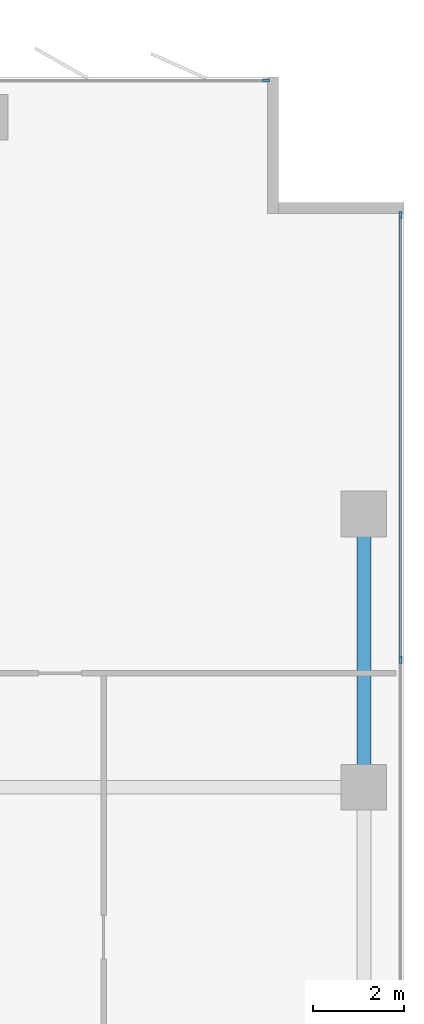
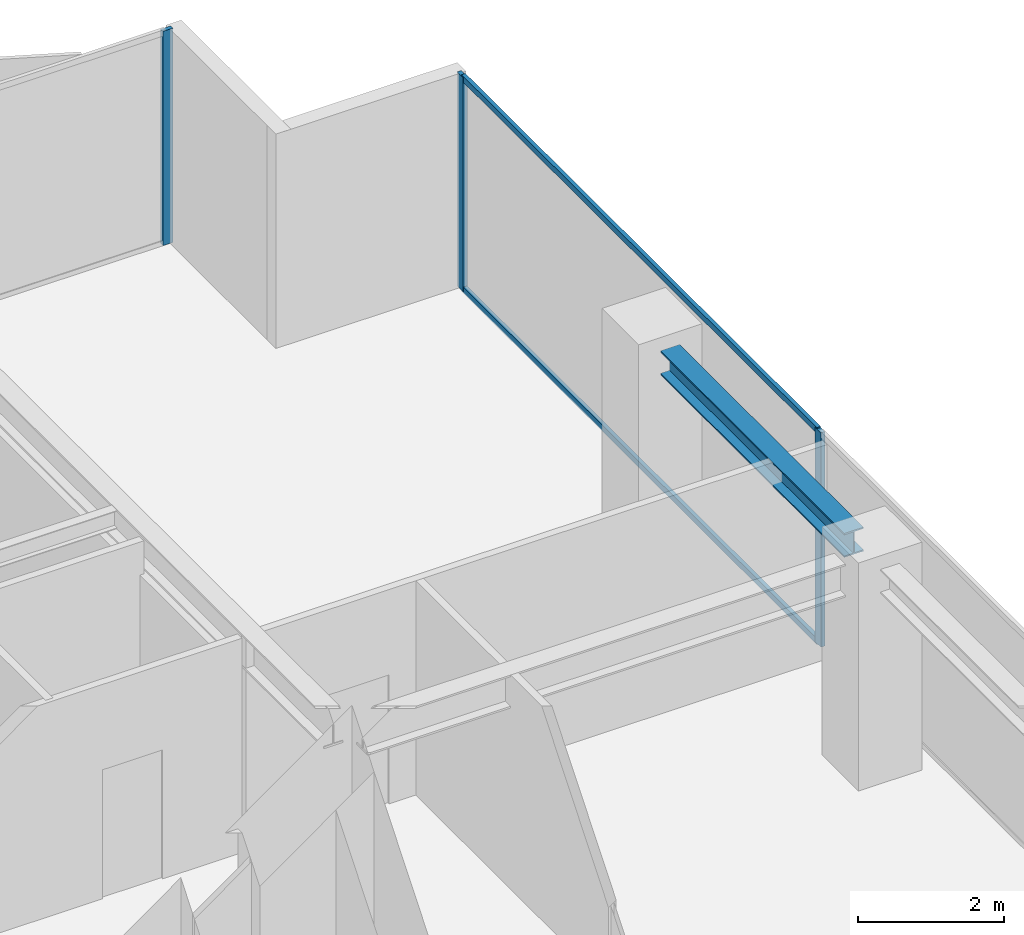
# One storey, part 13 of 22: 5 members, 1 beam, 2 elements without a shape of their own.
"""IFC4 building model written with IfcOpenShell, lengths in metres."""

from ifc_helpers import new_model, si_unit, direction, frame, origin, origin_2d, place, context, subcontext, project, spatial, rectangle, i_section, extrude, material, layer, layer_set, material_profile, profile_set, type_object, element, aggregate, save


model = new_model("IFC4")

# Units and contexts
model_context = context("Model", 3, precision=1e-05, world=origin(), true_north=direction((0.0, 1.0)))
body_context = subcontext(model_context, "Body", "Model", "MODEL_VIEW")
ifc_project = project(units=[si_unit("LENGTHUNIT", "METRE"), si_unit("AREAUNIT", "SQUARE_METRE"), si_unit("VOLUMEUNIT", "CUBIC_METRE"), si_unit("PLANEANGLEUNIT", "RADIAN"), si_unit("MASSUNIT", "GRAM", prefix="KILO")], contexts=[model_context])

# Site, building, storey
site_placement = place(None, origin())
site = spatial("IfcSite", under=ifc_project, at=site_placement, CompositionType="ELEMENT")
building_placement = place(site_placement, origin())
building = spatial("IfcBuilding", under=site, at=building_placement, Name="Putna Gate Headquarters", CompositionType="ELEMENT")
storey_placement = place(building_placement, frame((0.0, 0.0, 163.199951171875)))
storey = spatial("IfcBuildingStorey", under=building, at=storey_placement, Name="L40", CompositionType="ELEMENT", Elevation=163.199951171875)

# Beam
ifc_material_1 = material(Name="Steel S355J2", Category="steel")
ifc_material_profile_1 = material_profile(ifc_material_1, i_section(OverallWidth=0.300048828125, OverallDepth=0.39990234375, WebThickness=0.013427734375, FlangeThickness=0.02392578125, at=origin_2d()), Name="Steel S355J2")
ifc_profile_set_1 = profile_set([ifc_material_profile_1], Name="Steel S355J2")
beam_type = type_object("IfcBeamType", Name="BM-SPAN-Z3-HEB400", PredefinedType="SPANDREL", material=ifc_profile_set_1)
beam_placement = place(storey_placement, frame((73.320068359375, 33.488037109375, 3.3720703125), z_axis=(0.0, 1.0, 0.0), x_axis=(-1.0, 0.0, 0.0)))
element("IfcBeam", 1, at=beam_placement, inside=storey, type_object=beam_type, Name="L40 E End Spandrel 3", PredefinedType="SPANDREL", context=body_context, shape_type="SweptSolid", body=[
    extrude(i_section(OverallWidth=0.300048828125, OverallDepth=0.39990234375, WebThickness=0.013427734375, FlangeThickness=0.02392578125, at=origin_2d()), origin(), (0.0, 0.0, 1.0), 5.02392578125),
])

# Curtain wall, member
ifc_material_2 = material(Name="Anodised bronze aluminium curtain wall", Category="aluminium")
ifc_layer = layer(ifc_material_2, 0.159912109375)
ifc_layer_set = layer_set([ifc_layer], Name="Anodised bronze aluminium curtain wall")
curtain_wall_type = type_object("IfcCurtainWallType", Name="CW-SYS-Z3", PredefinedType="USERDEFINED", material=ifc_layer_set)
curtain_wall_1_placement = place(storey_placement, origin())
curtain_wall_1 = element("IfcCurtainWall", 2, at=curtain_wall_1_placement, inside=storey, type_object=curtain_wall_type, Name="L40 North East Curtain Wall", ObjectType="STICK CURTAIN WALL", PredefinedType="USERDEFINED")
ifc_material_3 = material(Name="Anodised bronze aluminium EN AW-6060", Category="aluminium")
ifc_material_profile_2 = material_profile(ifc_material_3, rectangle(XDim=0.06494140625, YDim=0.159912109375, at=origin_2d()), Name="Anodised bronze aluminium EN AW-6060")
ifc_profile_set_2 = profile_set([ifc_material_profile_2], Name="Anodised bronze aluminium EN AW-6060")
member_type_1 = type_object("IfcMemberType", Name="MULL-CWM-3", PredefinedType="MULLION", material=ifc_profile_set_2)
member_1_placement = place(storey_placement, frame((71.16748046875, 48.52001953125, 0.0), z_axis=(0.0, 0.0, 1.0), x_axis=(0.0, 1.0, 0.0)))
member_1 = element("IfcMember", 3, at=member_1_placement, type_object=member_type_1, Name="CWS-3 mullion 3", PredefinedType="MULLION", context=body_context, shape_type="SweptSolid", body=[
    extrude(rectangle(XDim=0.06494140625, YDim=0.159912109375, at=origin_2d()), origin(), (0.0, 0.0, 1.0), 3.572021484375),
])
aggregate(curtain_wall_1, [member_1])

# Curtain wall, members
curtain_wall_2_placement = place(storey_placement, origin())
curtain_wall_2 = element("IfcCurtainWall", 4, at=curtain_wall_2_placement, inside=storey, type_object=curtain_wall_type, Name="L40 East Curtain Wall", ObjectType="STICK CURTAIN WALL", PredefinedType="USERDEFINED")
member_2_placement = place(storey_placement, frame((74.1201171875, 35.800048828125, 0.0), z_axis=(0.0, 0.0, 1.0), x_axis=(-1.0, 0.0, 0.0)))
member_2 = element("IfcMember", 5, at=member_2_placement, type_object=member_type_1, Name="CWS-3 mullion 4", PredefinedType="MULLION", context=body_context, shape_type="SweptSolid", body=[
    extrude(rectangle(XDim=0.06494140625, YDim=0.159912109375, at=origin_2d()), origin(), (0.0, 0.0, 1.0), 3.572021484375),
])
member_3_placement = place(storey_placement, frame((74.1201171875, 45.5673828125, 0.0), z_axis=(0.0, 0.0, 1.0), x_axis=(-1.0, 0.0, 0.0)))
member_3 = element("IfcMember", 6, at=member_3_placement, type_object=member_type_1, Name="CWS-3 mullion 5", PredefinedType="MULLION", context=body_context, shape_type="SweptSolid", body=[
    extrude(rectangle(XDim=0.06494140625, YDim=0.159912109375, at=origin_2d()), origin(), (0.0, 0.0, 1.0), 3.572021484375),
])
ifc_material_profile_3 = material_profile(ifc_material_3, rectangle(XDim=0.06005859375, YDim=0.10009765625, at=origin_2d()), Name="Anodised bronze aluminium EN AW-6060")
ifc_profile_set_3 = profile_set([ifc_material_profile_3], Name="Anodised bronze aluminium EN AW-6060")
member_type_2 = type_object("IfcMemberType", Name="TRAN-CWT-3", PredefinedType="USERDEFINED", material=ifc_profile_set_3)
member_4_placement = place(storey_placement, frame((74.1201171875, 35.83251953125, 0.030029296875), z_axis=(0.0, 1.0, 0.0), x_axis=(-1.0, 0.0, 0.0)))
member_4 = element("IfcMember", 7, at=member_4_placement, type_object=member_type_2, Name="CWS-3 transom 4.1", ObjectType="TRANSOM", PredefinedType="USERDEFINED", context=body_context, shape_type="SweptSolid", body=[
    extrude(rectangle(XDim=0.06005859375, YDim=0.10009765625, at=origin_2d()), origin(), (0.0, 0.0, 1.0), 9.702392578125),
])
member_5_placement = place(storey_placement, frame((74.1201171875, 35.83251953125, 3.5419921875), z_axis=(0.0, 1.0, 0.0), x_axis=(-1.0, 0.0, 0.0)))
member_5 = element("IfcMember", 8, at=member_5_placement, type_object=member_type_2, Name="CWS-3 transom 4.2", ObjectType="TRANSOM", PredefinedType="USERDEFINED", context=body_context, shape_type="SweptSolid", body=[
    extrude(rectangle(XDim=0.06005859375, YDim=0.10009765625, at=origin_2d()), origin(), (0.0, 0.0, 1.0), 9.702392578125),
])
aggregate(curtain_wall_2, [member_2, member_3, member_4, member_5])

save(model, "model.ifc")
